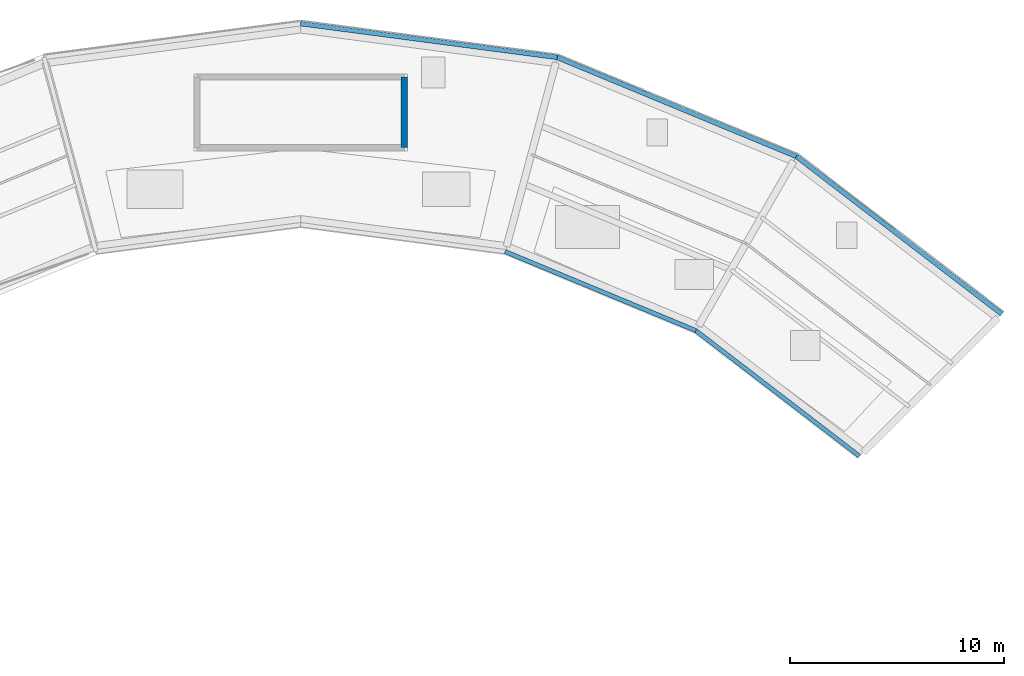
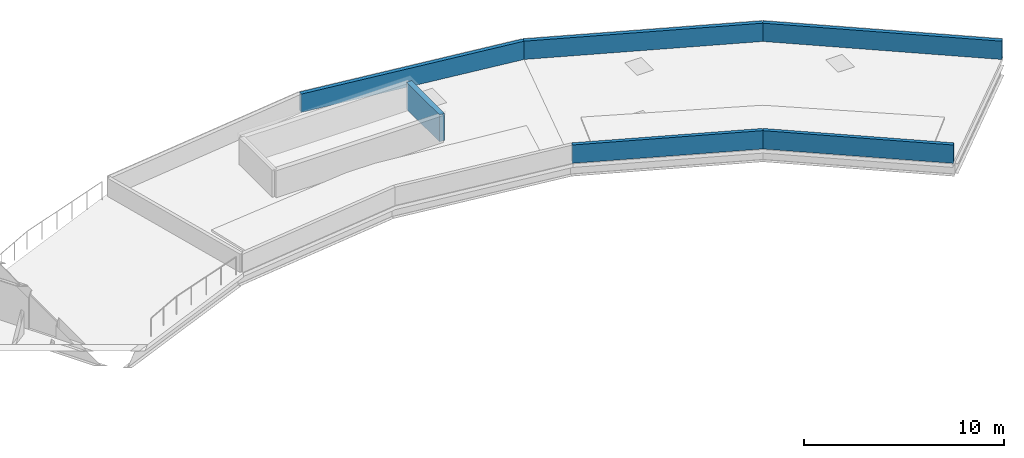
# One storey, part 11 of 12: 6 walls.
"""IFC4 building model written with IfcOpenShell, lengths in metres."""

from ifc_helpers import new_model, si_unit, direction, frame, frame_2d, origin, place, context, subcontext, project, spatial, rectangle, extrude, material, layer, layer_set, type_object, element, save


model = new_model("IFC4")

# Units and contexts
model_context = context("Model", 3, precision=1e-05, world=origin(), true_north=direction((0.0, 1.0)))
body_context = subcontext(model_context, "Body", "Model", "MODEL_VIEW")
ifc_project = project(units=[si_unit("LENGTHUNIT", "METRE"), si_unit("AREAUNIT", "SQUARE_METRE"), si_unit("VOLUMEUNIT", "CUBIC_METRE"), si_unit("PLANEANGLEUNIT", "RADIAN"), si_unit("MASSUNIT", "GRAM", prefix="KILO")], contexts=[model_context])

# Site, building, storey
site_placement = place(None, origin())
site = spatial("IfcSite", under=ifc_project, at=site_placement, CompositionType="ELEMENT")
building_placement = place(site_placement, origin())
building = spatial("IfcBuilding", under=site, at=building_placement, Name="Vespera Passage Community Centre", CompositionType="ELEMENT")
storey_placement = place(building_placement, frame((0.0, 0.0, 24.300048828125)))
storey = spatial("IfcBuildingStorey", under=building, at=storey_placement, Name="ROOF", CompositionType="ELEMENT", Elevation=24.300048828125)

# Walls
ifc_material_1 = material(Name="Concrete f'c 45 MPa", Category="concrete")
ifc_layer_1 = layer(ifc_material_1, 0.2900390625)
ifc_layer_set_1 = layer_set([ifc_layer_1], Name="Concrete f'c 45 MPa")
wall_type_1 = type_object("IfcWallType", Name="WT-OVERRUN-290E", PredefinedType="SHEAR", material=ifc_layer_set_1)
wall_1_placement = place(storey_placement, frame((82.844970703125, 106.050048828125, 0.0), z_axis=(0.0, 0.0, 1.0), x_axis=(0.0, 1.0, 0.0)))
element("IfcWall", 1, at=wall_1_placement, inside=storey, type_object=wall_type_1, Name="Core C4 Overrun Enclosure Wall 2", PredefinedType="SHEAR", context=body_context, shape_type="SweptSolid", body=[
    extrude(rectangle(XDim=3.300048828125, YDim=0.2900390625, at=frame_2d((1.64990234375, 0.0))), origin(), (0.0, 0.0, 1.0), 1.64990234375),
])
ifc_material_2 = material(Name="Precast concrete f'c 40 MPa", Category="concrete")
ifc_layer_2 = layer(ifc_material_2, 0.199951171875)
ifc_layer_set_2 = layer_set([ifc_layer_2], Name="Precast concrete f'c 40 MPa")
wall_type_2 = type_object("IfcWallType", Name="WT-PAR-200E", PredefinedType="PARAPET", material=ifc_layer_set_2)
wall_2_placement = place(storey_placement, frame((104.127685546875, 91.627685546875, 0.0), z_axis=(0.0, 0.0, 1.0), x_axis=(-0.793363907176, 0.608747657728, 0.0)))
element("IfcWall", 2, at=wall_2_placement, inside=storey, type_object=wall_type_2, Name="V4 Roof Inner Parapet E1", PredefinedType="PARAPET", context=body_context, shape_type="SweptSolid", body=[
    extrude(rectangle(XDim=9.645751953125, YDim=0.199951171875, at=frame_2d((4.82275390625, 0.0))), origin(), (0.0, 0.0, 1.0), 1.119873046875),
])
wall_3_placement = place(storey_placement, frame((96.47509765625, 97.49951171875, 0.0), z_axis=(0.0, 0.0, 1.0), x_axis=(-0.923876162937, 0.382691567136, 0.0)))
element("IfcWall", 3, at=wall_3_placement, inside=storey, type_object=wall_type_2, Name="V4 Roof Inner Parapet E2", PredefinedType="PARAPET", context=body_context, shape_type="SweptSolid", body=[
    extrude(rectangle(XDim=9.64599609375, YDim=0.199951171875, at=frame_2d((4.822998046875, 0.0))), origin(), (0.0, 0.0, 1.0), 1.119873046875),
])
ifc_material_3 = material(Name="Precast concrete f'c 40 MPa", Category="concrete")
ifc_layer_3 = layer(ifc_material_3, 0.219970703125)
ifc_layer_set_3 = layer_set([ifc_layer_3], Name="Precast concrete f'c 40 MPa")
wall_type_3 = type_object("IfcWallType", Name="WT-PAR-220E", PredefinedType="PARAPET", material=ifc_layer_set_3)
for number, where, z_axis, x_axis, name in (
    (4, (110.7744140625, 98.2744140625, 0.0), (0.0, 0.0, 1.0), (-0.79334875863, 0.608767399899, 0.0), "V4 Roof Outer Parapet E1"),
    (5, (101.175048828125, 105.640380859375, 0.0), (0.0, 0.0, 1.0), (-0.923879608086, 0.382683249912, 0.0), "V4 Roof Outer Parapet E2"),
    (6, (89.996337890625, 110.270751953125, 0.0), (0.0, 0.0, 1.0), (-0.991444884284, 0.130526018203, 0.0), "V4 Roof Outer Parapet E3"),
):
    element("IfcWall", number, at=place(storey_placement, frame(where, z_axis=z_axis, x_axis=x_axis)), inside=storey, type_object=wall_type_3, Name=name, PredefinedType="PARAPET", context=body_context, shape_type="SweptSolid", body=[
        extrude(rectangle(XDim=12.099853515625, YDim=0.219970703125, at=frame_2d((6.0498046875, 0.0))), origin(), (0.0, 0.0, 1.0), 1.119873046875),
    ])

save(model, "model.ifc")
